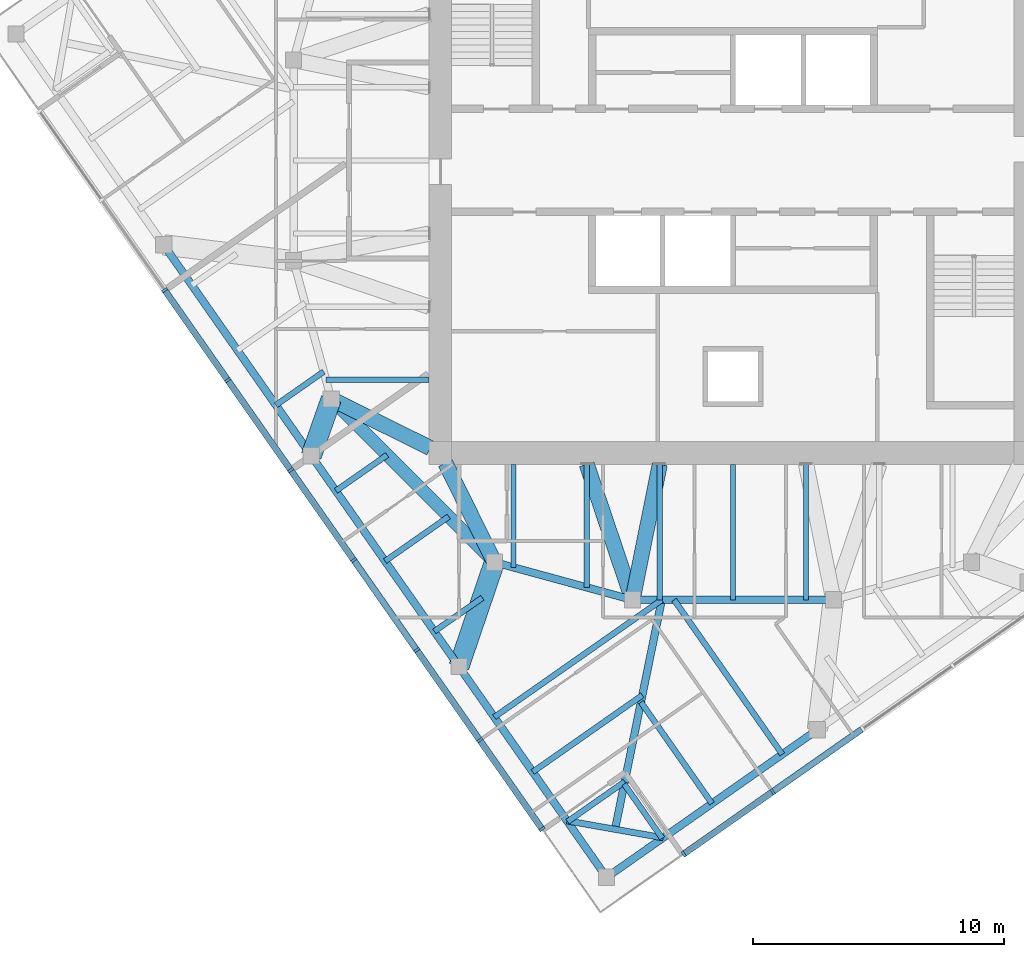
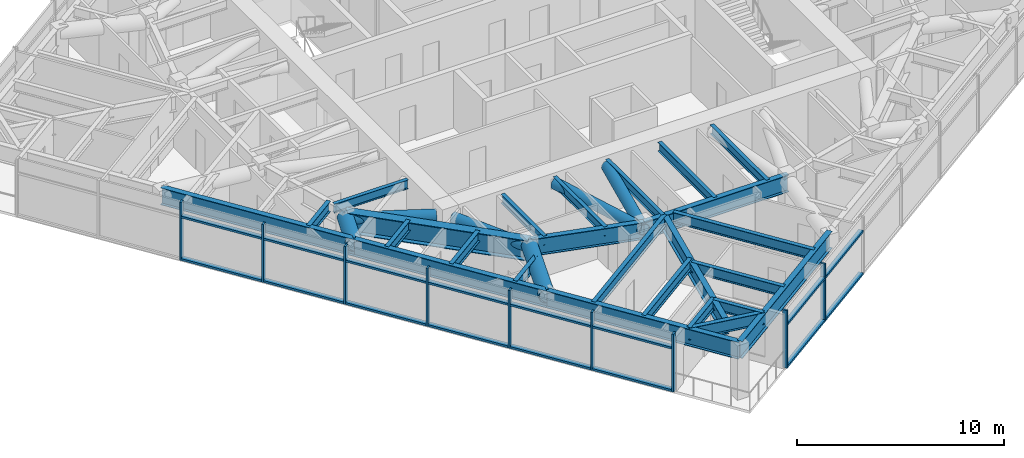
# One storey, part 2 of 15: 31 members, 25 beams, 2 elements without a shape of their own.
"""IFC4 building model written with IfcOpenShell, lengths in metres."""

from ifc_helpers import new_model, si_unit, direction, frame, origin, origin_2d, place, context, subcontext, project, spatial, rectangle, hollow_circle, i_section, extrude, material, material_profile, profile_set, type_object, element, aggregate, save


model = new_model("IFC4")

# Units and contexts
model_context = context("Model", 3, precision=1e-05, world=origin(), true_north=direction((0.0, 1.0)))
body_context = subcontext(model_context, "Body", "Model", "MODEL_VIEW")
ifc_project = project(units=[si_unit("LENGTHUNIT", "METRE"), si_unit("AREAUNIT", "SQUARE_METRE"), si_unit("VOLUMEUNIT", "CUBIC_METRE"), si_unit("PLANEANGLEUNIT", "RADIAN"), si_unit("MASSUNIT", "GRAM", prefix="KILO")], contexts=[model_context])

# Site, building, storey
site_placement = place(None, origin())
site = spatial("IfcSite", under=ifc_project, at=site_placement, CompositionType="ELEMENT")
building_placement = place(site_placement, origin())
building = spatial("IfcBuilding", under=site, at=building_placement, Name="Torsade Residences", CompositionType="ELEMENT")
storey_placement = place(building_placement, frame((0.0, 0.0, 264.199951171875)))
storey = spatial("IfcBuildingStorey", under=building, at=storey_placement, Name="L73", CompositionType="ELEMENT", Elevation=264.199951171875)

# Beams
ifc_material_1 = material(Name="Steel grade 300", Category="steel")
ifc_material_profile_1 = material_profile(ifc_material_1, i_section(OverallWidth=0.300048828125, OverallDepth=0.89990234375, WebThickness=0.011962890625, FlangeThickness=0.02490234375, at=origin_2d()), Name="900WB175")
ifc_profile_set_1 = profile_set([ifc_material_profile_1], Name="Steel grade 300")
beam_type_1 = type_object("IfcBeamType", Name="CORNER GIRDER 900WB175", PredefinedType="BEAM", material=ifc_profile_set_1)
beam_1_placement = place(storey_placement, frame((35.303466796875, 3.364013671875, 2.75), z_axis=(0.199584461589, 0.979880626756, 0.0), x_axis=(-0.979880626756, 0.199584461589, 0.0)))
element("IfcBeam", 1, at=beam_1_placement, inside=storey, type_object=beam_type_1, Name="Corner girder 01 L74", PredefinedType="BEAM", context=body_context, shape_type="SweptSolid", body=[
    extrude(i_section(OverallWidth=0.300048828125, OverallDepth=0.89990234375, WebThickness=0.011962890625, FlangeThickness=0.02490234375, at=origin_2d()), origin(), (0.0, 0.0, 1.0), 9.323486328125),
])
ifc_material_2 = material(Name="Steel grade 300", Category="steel")
ifc_material_profile_2 = material_profile(ifc_material_2, i_section(OverallWidth=0.25, OverallDepth=0.699951171875, WebThickness=0.010009765625, FlangeThickness=0.02001953125, at=origin_2d()), Name="700WB130")
ifc_profile_set_2 = profile_set([ifc_material_profile_2], Name="Steel grade 300")
beam_type_2 = type_object("IfcBeamType", Name="CORNER TRIMMER 700WB130", PredefinedType="BEAM", material=ifc_profile_set_2)
beam_2_placement = place(storey_placement, frame((37.21826171875, 3.0263671875, 2.85009765625), z_axis=(-0.984808196894, 0.173645660267, 0.0), x_axis=(-0.173645660267, -0.984808196894, 0.0)))
element("IfcBeam", 2, at=beam_2_placement, inside=storey, type_object=beam_type_2, Name="Corner trimmer 01 L74", PredefinedType="BEAM", context=body_context, shape_type="SweptSolid", body=[
    extrude(i_section(OverallWidth=0.25, OverallDepth=0.699951171875, WebThickness=0.010009765625, FlangeThickness=0.02001953125, at=origin_2d()), origin(), (0.0, 0.0, 1.0), 3.888916015625),
])

# Curtain wall, members
ifc_material_3 = material(Name="Aluminium and glass", Category="aluminium")
curtain_wall_type = type_object("IfcCurtainWallType", Name="FRITTED GLASS CURTAIN WALL HIGH ZONE", PredefinedType="NOTDEFINED", material=ifc_material_3)
curtain_wall_1_placement = place(storey_placement, origin())
curtain_wall_1 = element("IfcCurtainWall", 3, at=curtain_wall_1_placement, inside=storey, type_object=curtain_wall_type, Name="Curtain wall L73 face 1", PredefinedType="NOTDEFINED")
ifc_material_4 = material(Name="Aluminium mullion", Category="aluminium")
ifc_material_profile_3 = material_profile(ifc_material_4, rectangle(XDim=0.25, YDim=0.10009765625, at=origin_2d()), Name="HIGH ZONE CURTAIN WALL MULLION 250x100")
ifc_profile_set_3 = profile_set([ifc_material_profile_3], Name="Aluminium mullion")
member_type_1 = type_object("IfcMemberType", Name="HIGH ZONE CURTAIN WALL MULLION 250x100", PredefinedType="MULLION", material=ifc_profile_set_3)
member_1_placement = place(storey_placement, frame((38.03759765625, 2.37939453125, 0.0), z_axis=(0.0, 0.0, 1.0), x_axis=(-0.573576457682, 0.819152029353, 0.0)))
member_1 = element("IfcMember", 4, at=member_1_placement, type_object=member_type_1, Name="Mullion 1", PredefinedType="MULLION", context=body_context, shape_type="SweptSolid", body=[
    extrude(rectangle(XDim=0.25, YDim=0.10009765625, at=origin_2d()), origin(), (0.0, 0.0, 1.0), 3.400146484375),
])
member_2_placement = place(storey_placement, frame((41.58056640625, 4.860107421875, 0.0), z_axis=(0.0, 0.0, 1.0), x_axis=(-0.573576457682, 0.819152029353, 0.0)))
member_2 = element("IfcMember", 5, at=member_2_placement, type_object=member_type_1, Name="Mullion 2", PredefinedType="MULLION", context=body_context, shape_type="SweptSolid", body=[
    extrude(rectangle(XDim=0.25, YDim=0.10009765625, at=origin_2d()), origin(), (0.0, 0.0, 1.0), 3.400146484375),
])

curtain_wall_2_placement = place(storey_placement, origin())
curtain_wall_2 = element("IfcCurtainWall", 6, at=curtain_wall_2_placement, inside=storey, type_object=curtain_wall_type, Name="Curtain wall L73 face 10", PredefinedType="NOTDEFINED")
member_3_placement = place(storey_placement, frame((17.369384765625, 24.835693359375, 0.0), z_axis=(0.0, 0.0, 1.0), x_axis=(0.819152029353, 0.573576457682, 0.0)))
member_3 = element("IfcMember", 7, at=member_3_placement, type_object=member_type_1, Name="Mullion 3", PredefinedType="MULLION", context=body_context, shape_type="SweptSolid", body=[
    extrude(rectangle(XDim=0.25, YDim=0.10009765625, at=origin_2d()), origin(), (0.0, 0.0, 1.0), 3.400146484375),
])
member_4_placement = place(storey_placement, frame((19.87890625, 21.251953125, 0.0), z_axis=(0.0, 0.0, 1.0), x_axis=(0.819152029353, 0.573576457682, 0.0)))
member_4 = element("IfcMember", 8, at=member_4_placement, type_object=member_type_1, Name="Mullion 4", PredefinedType="MULLION", context=body_context, shape_type="SweptSolid", body=[
    extrude(rectangle(XDim=0.25, YDim=0.10009765625, at=origin_2d()), origin(), (0.0, 0.0, 1.0), 3.400146484375),
])
member_5_placement = place(storey_placement, frame((22.38818359375, 17.668212890625, 0.0), z_axis=(0.0, 0.0, 1.0), x_axis=(0.819152029353, 0.573576457682, 0.0)))
member_5 = element("IfcMember", 9, at=member_5_placement, type_object=member_type_1, Name="Mullion 5", PredefinedType="MULLION", context=body_context, shape_type="SweptSolid", body=[
    extrude(rectangle(XDim=0.25, YDim=0.10009765625, at=origin_2d()), origin(), (0.0, 0.0, 1.0), 3.400146484375),
])
member_6_placement = place(storey_placement, frame((24.897705078125, 14.084228515625, 0.0), z_axis=(0.0, 0.0, 1.0), x_axis=(0.819152029353, 0.573576457682, 0.0)))
member_6 = element("IfcMember", 10, at=member_6_placement, type_object=member_type_1, Name="Mullion 6", PredefinedType="MULLION", context=body_context, shape_type="SweptSolid", body=[
    extrude(rectangle(XDim=0.25, YDim=0.10009765625, at=origin_2d()), origin(), (0.0, 0.0, 1.0), 3.400146484375),
])
member_7_placement = place(storey_placement, frame((27.406982421875, 10.50048828125, 0.0), z_axis=(0.0, 0.0, 1.0), x_axis=(0.819152029353, 0.573576457682, 0.0)))
member_7 = element("IfcMember", 11, at=member_7_placement, type_object=member_type_1, Name="Mullion 7", PredefinedType="MULLION", context=body_context, shape_type="SweptSolid", body=[
    extrude(rectangle(XDim=0.25, YDim=0.10009765625, at=origin_2d()), origin(), (0.0, 0.0, 1.0), 3.400146484375),
])
member_8_placement = place(storey_placement, frame((29.91650390625, 6.916748046875, 0.0), z_axis=(0.0, 0.0, 1.0), x_axis=(0.819152029353, 0.573576457682, 0.0)))
member_8 = element("IfcMember", 12, at=member_8_placement, type_object=member_type_1, Name="Mullion 8", PredefinedType="MULLION", context=body_context, shape_type="SweptSolid", body=[
    extrude(rectangle(XDim=0.25, YDim=0.10009765625, at=origin_2d()), origin(), (0.0, 0.0, 1.0), 3.400146484375),
])
member_9_placement = place(storey_placement, frame((32.397216796875, 3.3740234375, 0.0), z_axis=(0.0, 0.0, 1.0), x_axis=(0.819152029353, 0.573576457682, 0.0)))
member_9 = element("IfcMember", 13, at=member_9_placement, type_object=member_type_1, Name="Mullion 9", PredefinedType="MULLION", context=body_context, shape_type="SweptSolid", body=[
    extrude(rectangle(XDim=0.25, YDim=0.10009765625, at=origin_2d()), origin(), (0.0, 0.0, 1.0), 3.400146484375),
])

# Member
ifc_material_5 = material(Name="Aluminium transom", Category="aluminium")
ifc_material_profile_4 = material_profile(ifc_material_5, rectangle(XDim=0.25, YDim=0.1201171875, at=origin_2d()), Name="HIGH ZONE CURTAIN WALL TRANSOM 250x120")
ifc_profile_set_4 = profile_set([ifc_material_profile_4], Name="Aluminium transom")
member_type_2 = type_object("IfcMemberType", Name="HIGH ZONE CURTAIN WALL TRANSOM 250x120", PredefinedType="USERDEFINED", material=ifc_profile_set_4)
member_10_placement = place(storey_placement, frame((38.07861328125, 2.407958984375, 0.06005859375), z_axis=(0.819155901234, 0.573570928023, 0.0), x_axis=(-0.573570928023, 0.819155901234, 0.0)))
member_10 = element("IfcMember", 14, at=member_10_placement, type_object=member_type_2, Name="Transom 1.1", ObjectType="TRANSOM", PredefinedType="USERDEFINED", context=body_context, shape_type="SweptSolid", body=[
    extrude(rectangle(XDim=0.25, YDim=0.1201171875, at=origin_2d()), origin(), (0.0, 0.0, 1.0), 4.22509765625),
])

member_11_placement = place(storey_placement, frame((38.07861328125, 2.407958984375, 2.56005859375), z_axis=(0.819155901234, 0.573570928023, 0.0), x_axis=(-0.573570928023, 0.819155901234, 0.0)))
member_11 = element("IfcMember", 15, at=member_11_placement, type_object=member_type_2, Name="Transom 1.2", ObjectType="TRANSOM", PredefinedType="USERDEFINED", context=body_context, shape_type="SweptSolid", body=[
    extrude(rectangle(XDim=0.25, YDim=0.1201171875, at=origin_2d()), origin(), (0.0, 0.0, 1.0), 4.22509765625),
])

member_12_placement = place(storey_placement, frame((41.62158203125, 4.888671875, 0.06005859375), z_axis=(0.819127269283, 0.573611817101, 0.0), x_axis=(-0.573611817101, 0.819127269283, 0.0)))
member_12 = element("IfcMember", 16, at=member_12_placement, type_object=member_type_2, Name="Transom 2.1", ObjectType="TRANSOM", PredefinedType="USERDEFINED", context=body_context, shape_type="SweptSolid", body=[
    extrude(rectangle(XDim=0.25, YDim=0.1201171875, at=origin_2d()), origin(), (0.0, 0.0, 1.0), 4.27490234375),
])

member_13_placement = place(storey_placement, frame((41.62158203125, 4.888671875, 2.56005859375), z_axis=(0.819127269283, 0.573611817101, 0.0), x_axis=(-0.573611817101, 0.819127269283, 0.0)))
member_13 = element("IfcMember", 17, at=member_13_placement, type_object=member_type_2, Name="Transom 2.2", ObjectType="TRANSOM", PredefinedType="USERDEFINED", context=body_context, shape_type="SweptSolid", body=[
    extrude(rectangle(XDim=0.25, YDim=0.1201171875, at=origin_2d()), origin(), (0.0, 0.0, 1.0), 4.27490234375),
])

aggregate(curtain_wall_1, [member_1, member_2, member_10, member_11, member_12, member_13])

member_14_placement = place(storey_placement, frame((17.398193359375, 24.794677734375, 0.06005859375), z_axis=(0.573573496219, -0.819154102984, 0.0), x_axis=(0.819154102984, 0.573573496219, 0.0)))
member_14 = element("IfcMember", 18, at=member_14_placement, type_object=member_type_2, Name="Transom 3.1", ObjectType="TRANSOM", PredefinedType="USERDEFINED", context=body_context, shape_type="SweptSolid", body=[
    extrude(rectangle(XDim=0.25, YDim=0.1201171875, at=origin_2d()), origin(), (0.0, 0.0, 1.0), 4.27490234375),
])

member_15_placement = place(storey_placement, frame((17.398193359375, 24.794677734375, 2.56005859375), z_axis=(0.573573496219, -0.819154102984, 0.0), x_axis=(0.819154102984, 0.573573496219, 0.0)))
member_15 = element("IfcMember", 19, at=member_15_placement, type_object=member_type_2, Name="Transom 3.2", ObjectType="TRANSOM", PredefinedType="USERDEFINED", context=body_context, shape_type="SweptSolid", body=[
    extrude(rectangle(XDim=0.25, YDim=0.1201171875, at=origin_2d()), origin(), (0.0, 0.0, 1.0), 4.27490234375),
])

member_16_placement = place(storey_placement, frame((19.907470703125, 21.2109375, 0.06005859375), z_axis=(0.57358498433, -0.819146058863, 0.0), x_axis=(0.819146058863, 0.57358498433, 0.0)))
member_16 = element("IfcMember", 20, at=member_16_placement, type_object=member_type_2, Name="Transom 4.1", ObjectType="TRANSOM", PredefinedType="USERDEFINED", context=body_context, shape_type="SweptSolid", body=[
    extrude(rectangle(XDim=0.25, YDim=0.1201171875, at=origin_2d()), origin(), (0.0, 0.0, 1.0), 4.275146484375),
])

member_17_placement = place(storey_placement, frame((19.907470703125, 21.2109375, 2.56005859375), z_axis=(0.57358498433, -0.819146058863, 0.0), x_axis=(0.819146058863, 0.57358498433, 0.0)))
member_17 = element("IfcMember", 21, at=member_17_placement, type_object=member_type_2, Name="Transom 4.2", ObjectType="TRANSOM", PredefinedType="USERDEFINED", context=body_context, shape_type="SweptSolid", body=[
    extrude(rectangle(XDim=0.25, YDim=0.1201171875, at=origin_2d()), origin(), (0.0, 0.0, 1.0), 4.275146484375),
])

member_18_placement = place(storey_placement, frame((22.4169921875, 17.627197265625, 0.06005859375), z_axis=(0.573546663483, -0.81917289067, 0.0), x_axis=(0.81917289067, 0.573546663483, 0.0)))
member_18 = element("IfcMember", 22, at=member_18_placement, type_object=member_type_2, Name="Transom 5.1", ObjectType="TRANSOM", PredefinedType="USERDEFINED", context=body_context, shape_type="SweptSolid", body=[
    extrude(rectangle(XDim=0.25, YDim=0.1201171875, at=origin_2d()), origin(), (0.0, 0.0, 1.0), 4.27490234375),
])

member_19_placement = place(storey_placement, frame((22.4169921875, 17.627197265625, 2.56005859375), z_axis=(0.573546663483, -0.81917289067, 0.0), x_axis=(0.81917289067, 0.573546663483, 0.0)))
member_19 = element("IfcMember", 23, at=member_19_placement, type_object=member_type_2, Name="Transom 5.2", ObjectType="TRANSOM", PredefinedType="USERDEFINED", context=body_context, shape_type="SweptSolid", body=[
    extrude(rectangle(XDim=0.25, YDim=0.1201171875, at=origin_2d()), origin(), (0.0, 0.0, 1.0), 4.27490234375),
])

member_20_placement = place(storey_placement, frame((24.92626953125, 14.04345703125, 0.06005859375), z_axis=(0.57358498433, -0.819146058863, 0.0), x_axis=(0.819146058863, 0.57358498433, 0.0)))
member_20 = element("IfcMember", 24, at=member_20_placement, type_object=member_type_2, Name="Transom 6.1", ObjectType="TRANSOM", PredefinedType="USERDEFINED", context=body_context, shape_type="SweptSolid", body=[
    extrude(rectangle(XDim=0.25, YDim=0.1201171875, at=origin_2d()), origin(), (0.0, 0.0, 1.0), 4.275146484375),
])

member_21_placement = place(storey_placement, frame((24.92626953125, 14.04345703125, 2.56005859375), z_axis=(0.57358498433, -0.819146058863, 0.0), x_axis=(0.819146058863, 0.57358498433, 0.0)))
member_21 = element("IfcMember", 25, at=member_21_placement, type_object=member_type_2, Name="Transom 6.2", ObjectType="TRANSOM", PredefinedType="USERDEFINED", context=body_context, shape_type="SweptSolid", body=[
    extrude(rectangle(XDim=0.25, YDim=0.1201171875, at=origin_2d()), origin(), (0.0, 0.0, 1.0), 4.275146484375),
])

member_22_placement = place(storey_placement, frame((27.435791015625, 10.45947265625, 0.06005859375), z_axis=(0.573573496219, -0.819154102984, 0.0), x_axis=(0.819154102984, 0.573573496219, 0.0)))
member_22 = element("IfcMember", 26, at=member_22_placement, type_object=member_type_2, Name="Transom 7.1", ObjectType="TRANSOM", PredefinedType="USERDEFINED", context=body_context, shape_type="SweptSolid", body=[
    extrude(rectangle(XDim=0.25, YDim=0.1201171875, at=origin_2d()), origin(), (0.0, 0.0, 1.0), 4.27490234375),
])

member_23_placement = place(storey_placement, frame((27.435791015625, 10.45947265625, 2.56005859375), z_axis=(0.573573496219, -0.819154102984, 0.0), x_axis=(0.819154102984, 0.573573496219, 0.0)))
member_23 = element("IfcMember", 27, at=member_23_placement, type_object=member_type_2, Name="Transom 7.2", ObjectType="TRANSOM", PredefinedType="USERDEFINED", context=body_context, shape_type="SweptSolid", body=[
    extrude(rectangle(XDim=0.25, YDim=0.1201171875, at=origin_2d()), origin(), (0.0, 0.0, 1.0), 4.27490234375),
])

member_24_placement = place(storey_placement, frame((29.945068359375, 6.875732421875, 0.06005859375), z_axis=(0.573570928023, -0.819155901234, 0.0), x_axis=(0.819155901234, 0.573570928023, 0.0)))
member_24 = element("IfcMember", 28, at=member_24_placement, type_object=member_type_2, Name="Transom 8.1", ObjectType="TRANSOM", PredefinedType="USERDEFINED", context=body_context, shape_type="SweptSolid", body=[
    extrude(rectangle(XDim=0.25, YDim=0.1201171875, at=origin_2d()), origin(), (0.0, 0.0, 1.0), 4.22509765625),
])

member_25_placement = place(storey_placement, frame((29.945068359375, 6.875732421875, 2.56005859375), z_axis=(0.573570928023, -0.819155901234, 0.0), x_axis=(0.819155901234, 0.573570928023, 0.0)))
member_25 = element("IfcMember", 29, at=member_25_placement, type_object=member_type_2, Name="Transom 8.2", ObjectType="TRANSOM", PredefinedType="USERDEFINED", context=body_context, shape_type="SweptSolid", body=[
    extrude(rectangle(XDim=0.25, YDim=0.1201171875, at=origin_2d()), origin(), (0.0, 0.0, 1.0), 4.22509765625),
])

aggregate(curtain_wall_2, [member_3, member_4, member_5, member_6, member_7, member_8, member_9, member_14, member_15, member_16, member_17, member_18, member_19, member_20, member_21, member_22, member_23, member_24, member_25])

# Beams
ifc_material_6 = material(Name="Steel grade 300", Category="steel")
ifc_material_profile_5 = material_profile(ifc_material_6, i_section(OverallWidth=0.208984375, OverallDepth=0.528076171875, WebThickness=0.009521484375, FlangeThickness=0.01318359375, FilletRadius=0.013916015625, at=origin_2d()), Name="530UB82.0")
ifc_profile_set_5 = profile_set([ifc_material_profile_5], Name="Steel grade 300")
beam_type_3 = type_object("IfcBeamType", Name="INNER FLOOR BEAM 530UB82.0", PredefinedType="JOIST", material=ifc_profile_set_5)
for number, where, z_axis, x_axis, name in (
    (30, (42.91259765625, 17.89990234375, 2.93603515625), (0.0, -1.0, 0.0), (1.0, 0.0, 0.0), "Inner floor beam IS03 L74"),
    (31, (40.0, 17.89990234375, 2.93603515625), (0.0, -1.0, 0.0), (1.0, 0.0, 0.0), "Inner floor beam IS04 L74"),
    (32, (37.08740234375, 17.89990234375, 2.93603515625), (0.0, -1.0, 0.0), (1.0, 0.0, 0.0), "Inner floor beam IS05 L74"),
):
    element("IfcBeam", number, at=place(storey_placement, frame(where, z_axis=z_axis, x_axis=x_axis)), inside=storey, type_object=beam_type_3, Name=name, PredefinedType="JOIST", context=body_context, shape_type="SweptSolid", body=[
        extrude(i_section(OverallWidth=0.208984375, OverallDepth=0.528076171875, WebThickness=0.009521484375, FlangeThickness=0.01318359375, FilletRadius=0.013916015625, at=origin_2d()), origin(), (0.0, 0.0, 1.0), 5.39990234375),
    ])
beam_3_placement = place(storey_placement, frame((34.175048828125, 17.89990234375, 2.93603515625), z_axis=(0.0, -1.0, 0.0), x_axis=(1.0, 0.0, 0.0)))
element("IfcBeam", 33, at=beam_3_placement, inside=storey, type_object=beam_type_3, Name="Inner floor beam IS06 L74", PredefinedType="JOIST", context=body_context, shape_type="SweptSolid", body=[
    extrude(i_section(OverallWidth=0.208984375, OverallDepth=0.528076171875, WebThickness=0.009521484375, FlangeThickness=0.01318359375, FilletRadius=0.013916015625, at=origin_2d()), origin(), (0.0, 0.0, 1.0), 4.902099609375),
])
for number, where, z_axis, x_axis, name in (
    (34, (31.262451171875, 17.89990234375, 2.93603515625), (0.0, -1.0, 0.0), (1.0, 0.0, 0.0), "Inner floor beam IS07 L74"),
    (35, (27.89990234375, 21.262451171875, 2.93603515625), (-1.0, 0.0, 0.0), (0.0, -1.0, 0.0), "Inner floor beam IW07 L74"),
):
    element("IfcBeam", number, at=place(storey_placement, frame(where, z_axis=z_axis, x_axis=x_axis)), inside=storey, type_object=beam_type_3, Name=name, PredefinedType="JOIST", context=body_context, shape_type="SweptSolid", body=[
        extrude(i_section(OverallWidth=0.208984375, OverallDepth=0.528076171875, WebThickness=0.009521484375, FlangeThickness=0.01318359375, FilletRadius=0.013916015625, at=origin_2d()), origin(), (0.0, 0.0, 1.0), 4.10791015625),
    ])
ifc_material_7 = material(Name="Steel grade 300", Category="steel")
ifc_material_profile_6 = material_profile(ifc_material_7, i_section(OverallWidth=0.5, OverallDepth=1.199951171875, WebThickness=0.01611328125, FlangeThickness=0.0400390625, at=origin_2d()), Name="1200WB455")
ifc_profile_set_6 = profile_set([ifc_material_profile_6], Name="Steel grade 300")
beam_type_4 = type_object("IfcBeamType", Name="RING CORNER GIRDER 1200WB455", PredefinedType="BEAM", material=ifc_profile_set_6)
beam_4_placement = place(storey_placement, frame((24.0, 20.5, 2.60009765625), z_axis=(0.707106781187, -0.707106781187, 0.0), x_axis=(0.707106781187, 0.707106781187, 0.0)))
element("IfcBeam", 36, at=beam_4_placement, inside=storey, type_object=beam_type_4, Name="Ring girder IR11 L74", PredefinedType="BEAM", context=body_context, shape_type="SweptSolid", body=[
    extrude(i_section(OverallWidth=0.5, OverallDepth=1.199951171875, WebThickness=0.01611328125, FlangeThickness=0.0400390625, at=origin_2d()), origin(), (0.0, 0.0, 1.0), 9.1923828125),
])
ifc_material_8 = material(Name="Steel grade 300", Category="steel")
ifc_material_profile_7 = material_profile(ifc_material_8, i_section(OverallWidth=0.300048828125, OverallDepth=1.0, WebThickness=0.01611328125, FlangeThickness=0.028076171875, at=origin_2d()), Name="1000WB215")
ifc_profile_set_7 = profile_set([ifc_material_profile_7], Name="Steel grade 300")
beam_type_5 = type_object("IfcBeamType", Name="RING GIRDER 1000WB215", PredefinedType="BEAM", material=ifc_profile_set_7)
beam_5_placement = place(storey_placement, frame((30.5, 14.0, 2.699951171875), z_axis=(0.964763821238, -0.263117405792, 0.0), x_axis=(0.263117405792, 0.964763821238, 0.0)))
element("IfcBeam", 37, at=beam_5_placement, inside=storey, type_object=beam_type_5, Name="Ring girder IR12 L74", PredefinedType="BEAM", context=body_context, shape_type="SweptSolid", body=[
    extrude(i_section(OverallWidth=0.300048828125, OverallDepth=1.0, WebThickness=0.01611328125, FlangeThickness=0.028076171875, at=origin_2d()), origin(), (0.0, 0.0, 1.0), 5.700927734375),
])
beam_6_placement = place(storey_placement, frame((36.0, 12.5, 2.699951171875), z_axis=(1.0, 0.0, 0.0), x_axis=(0.0, 1.0, 0.0)))
element("IfcBeam", 38, at=beam_6_placement, inside=storey, type_object=beam_type_5, Name="Ring girder IR13 L74", PredefinedType="BEAM", context=body_context, shape_type="SweptSolid", body=[
    extrude(i_section(OverallWidth=0.300048828125, OverallDepth=1.0, WebThickness=0.01611328125, FlangeThickness=0.028076171875, at=origin_2d()), origin(), (0.0, 0.0, 1.0), 8.0),
])
ifc_material_9 = material(Name="Steel grade 300", Category="steel")
ifc_material_profile_8 = material_profile(ifc_material_9, i_section(OverallWidth=0.22900390625, OverallDepth=0.612060546875, WebThickness=0.011962890625, FlangeThickness=0.01953125, FilletRadius=0.013916015625, at=origin_2d()), Name="610UB125")
ifc_profile_set_8 = profile_set([ifc_material_profile_8], Name="Steel grade 300")
beam_type_6 = type_object("IfcBeamType", Name="SECONDARY BEAM 610UB125", PredefinedType="JOIST", material=ifc_profile_set_8)
beam_7_placement = place(storey_placement, frame((37.184326171875, 3.00244140625, 2.89404296875), z_axis=(-0.573592685254, 0.819140666445, 0.0), x_axis=(-0.819140666445, -0.573592685254, 0.0)))
element("IfcBeam", 39, at=beam_7_placement, inside=storey, type_object=beam_type_6, Name="Floor beam FS01 L74", PredefinedType="JOIST", context=body_context, shape_type="SweptSolid", body=[
    extrude(i_section(OverallWidth=0.22900390625, OverallDepth=0.612060546875, WebThickness=0.011962890625, FlangeThickness=0.01953125, FilletRadius=0.013916015625, at=origin_2d()), origin(), (0.0, 0.0, 1.0), 2.639892578125),
])
beam_8_placement = place(storey_placement, frame((39.163818359375, 4.388671875, 2.89404296875), z_axis=(-0.573575295634, 0.819152843027, 0.0), x_axis=(-0.819152843027, -0.573575295634, 0.0)))
element("IfcBeam", 40, at=beam_8_placement, inside=storey, type_object=beam_type_6, Name="Floor beam FS02 L74", PredefinedType="JOIST", context=body_context, shape_type="SweptSolid", body=[
    extrude(i_section(OverallWidth=0.22900390625, OverallDepth=0.612060546875, WebThickness=0.011962890625, FlangeThickness=0.01953125, FilletRadius=0.013916015625, at=origin_2d()), origin(), (0.0, 0.0, 1.0), 4.931884765625),
])
beam_9_placement = place(storey_placement, frame((41.962646484375, 6.348388671875, 2.89404296875), z_axis=(-0.573573614851, 0.819154019917, 0.0), x_axis=(-0.819154019917, -0.573573614851, 0.0)))
element("IfcBeam", 41, at=beam_9_placement, inside=storey, type_object=beam_type_6, Name="Floor beam FS03 L74", PredefinedType="JOIST", context=body_context, shape_type="SweptSolid", body=[
    extrude(i_section(OverallWidth=0.22900390625, OverallDepth=0.612060546875, WebThickness=0.011962890625, FlangeThickness=0.01953125, FilletRadius=0.013916015625, at=origin_2d()), origin(), (0.0, 0.0, 1.0), 7.509765625),
])
beam_10_placement = place(storey_placement, frame((21.79736328125, 20.25537109375, 2.89404296875), z_axis=(0.819157953557, 0.573567996949, 0.0), x_axis=(-0.573567996949, 0.819157953557, 0.0)))
element("IfcBeam", 42, at=beam_10_placement, inside=storey, type_object=beam_type_6, Name="Floor beam FW06 L74", PredefinedType="JOIST", context=body_context, shape_type="SweptSolid", body=[
    extrude(i_section(OverallWidth=0.22900390625, OverallDepth=0.612060546875, WebThickness=0.011962890625, FlangeThickness=0.01953125, FilletRadius=0.013916015625, at=origin_2d()), origin(), (0.0, 0.0, 1.0), 2.326171875),
])
beam_11_placement = place(storey_placement, frame((24.187255859375, 16.84228515625, 2.89404296875), z_axis=(0.819172078752, 0.573547823109, 0.0), x_axis=(-0.573547823109, 0.819172078752, 0.0)))
element("IfcBeam", 43, at=beam_11_placement, inside=storey, type_object=beam_type_6, Name="Floor beam FW07 L74", PredefinedType="JOIST", context=body_context, shape_type="SweptSolid", body=[
    extrude(i_section(OverallWidth=0.22900390625, OverallDepth=0.612060546875, WebThickness=0.011962890625, FlangeThickness=0.01953125, FilletRadius=0.013916015625, at=origin_2d()), origin(), (0.0, 0.0, 1.0), 2.491943359375),
])
beam_12_placement = place(storey_placement, frame((26.14697265625, 14.04345703125, 2.89404296875), z_axis=(0.819135534955, 0.573600013401, 0.0), x_axis=(-0.573600013401, 0.819135534955, 0.0)))
element("IfcBeam", 44, at=beam_12_placement, inside=storey, type_object=beam_type_6, Name="Floor beam FW08 L74", PredefinedType="JOIST", context=body_context, shape_type="SweptSolid", body=[
    extrude(i_section(OverallWidth=0.22900390625, OverallDepth=0.612060546875, WebThickness=0.011962890625, FlangeThickness=0.01953125, FilletRadius=0.013916015625, at=origin_2d()), origin(), (0.0, 0.0, 1.0), 3.09423828125),
])
beam_13_placement = place(storey_placement, frame((28.106689453125, 11.244873046875, 2.89404296875), z_axis=(0.819163087535, 0.573560664637, 0.0), x_axis=(-0.573560664637, 0.819163087535, 0.0)))
element("IfcBeam", 45, at=beam_13_placement, inside=storey, type_object=beam_type_6, Name="Floor beam FW09 L74", PredefinedType="JOIST", context=body_context, shape_type="SweptSolid", body=[
    extrude(i_section(OverallWidth=0.22900390625, OverallDepth=0.612060546875, WebThickness=0.011962890625, FlangeThickness=0.01953125, FilletRadius=0.013916015625, at=origin_2d()), origin(), (0.0, 0.0, 1.0), 2.3330078125),
])
beam_14_placement = place(storey_placement, frame((30.49658203125, 7.83154296875, 2.89404296875), z_axis=(0.819151588523, 0.573577087251, 0.0), x_axis=(-0.573577087251, 0.819151588523, 0.0)))
element("IfcBeam", 46, at=beam_14_placement, inside=storey, type_object=beam_type_6, Name="Floor beam FW10 L74", PredefinedType="JOIST", context=body_context, shape_type="SweptSolid", body=[
    extrude(i_section(OverallWidth=0.22900390625, OverallDepth=0.612060546875, WebThickness=0.011962890625, FlangeThickness=0.01953125, FilletRadius=0.013916015625, at=origin_2d()), origin(), (0.0, 0.0, 1.0), 8.13916015625),
])
beam_15_placement = place(storey_placement, frame((32.026123046875, 5.647216796875, 2.89404296875), z_axis=(0.819137197966, 0.573597638513, 0.0), x_axis=(-0.573597638513, 0.819137197966, 0.0)))
element("IfcBeam", 47, at=beam_15_placement, inside=storey, type_object=beam_type_6, Name="Floor beam FW11 L74", PredefinedType="JOIST", context=body_context, shape_type="SweptSolid", body=[
    extrude(i_section(OverallWidth=0.22900390625, OverallDepth=0.612060546875, WebThickness=0.011962890625, FlangeThickness=0.01953125, FilletRadius=0.013916015625, at=origin_2d()), origin(), (0.0, 0.0, 1.0), 5.328369140625),
])
beam_16_placement = place(storey_placement, frame((33.412353515625, 3.667724609375, 2.89404296875), z_axis=(0.819190669238, 0.573521270253, 0.0), x_axis=(-0.573521270253, 0.819190669238, 0.0)))
element("IfcBeam", 48, at=beam_16_placement, inside=storey, type_object=beam_type_6, Name="Floor beam FW12 L74", PredefinedType="JOIST", context=body_context, shape_type="SweptSolid", body=[
    extrude(i_section(OverallWidth=0.22900390625, OverallDepth=0.612060546875, WebThickness=0.011962890625, FlangeThickness=0.01953125, FilletRadius=0.013916015625, at=origin_2d()), origin(), (0.0, 0.0, 1.0), 2.780517578125),
])

# Members
ifc_material_10 = material(Name="Steel grade 450", Category="steel")
ifc_material_profile_9 = material_profile(ifc_material_10, hollow_circle(Radius=0.304931640625, WallThickness=0.01611328125, at=origin_2d()), Name="610.0x16.0CHS")
ifc_profile_set_9 = profile_set([ifc_material_profile_9], Name="Steel grade 450")
member_type_3 = type_object("IfcMemberType", Name="TRANSFER FLOOR BRACE 610.0x16.0CHS", PredefinedType="BRACE", material=ifc_profile_set_9)
for number, where, z_axis, x_axis, name in (
    (49, (24.0, 20.5, 2.699951171875), (0.896469701914, -0.443105036702, 0.0), (0.443105036702, 0.896469701914, 0.0), "Transfer floor brace TT8 bottom IR11C"),
    (50, (30.5, 14.0, 2.699951171875), (-0.443105036702, 0.896469701914, 0.0), (-0.896469701914, -0.443105036702, 0.0), "Transfer floor brace TT8 bottom IR12C"),
):
    element("IfcMember", number, at=place(storey_placement, frame(where, z_axis=z_axis, x_axis=x_axis)), inside=storey, type_object=member_type_3, Name=name, PredefinedType="BRACE", context=body_context, shape_type="SweptSolid", body=[
        extrude(hollow_circle(Radius=0.304931640625, WallThickness=0.01611328125, at=origin_2d()), origin(), (0.0, 0.0, 1.0), 4.40234375),
    ])
member_26_placement = place(storey_placement, frame((36.0, 12.5, 2.699951171875), z_axis=(0.197387381211, 0.980200740375, 0.015643858457), x_axis=(-0.980320704809, 0.197411538983, 0.0)))
element("IfcMember", 51, at=member_26_placement, inside=storey, type_object=member_type_3, Name="Transfer floor brace TT8 bottom IR13IS05", PredefinedType="BRACE", context=body_context, shape_type="SweptSolid", body=[
    extrude(hollow_circle(Radius=0.304931640625, WallThickness=0.01611328125, at=origin_2d()), origin(), (0.0, 0.0, 1.0), 5.509033203125),
])
member_27_placement = place(storey_placement, frame((36.0, 12.5, 2.699951171875), z_axis=(-0.320133277384, 0.947251883503, 0.015117999588), x_axis=(-0.947360151124, -0.320169867513, 0.0)))
element("IfcMember", 52, at=member_27_placement, inside=storey, type_object=member_type_3, Name="Transfer floor brace TT8 bottom IR13IS06", PredefinedType="BRACE", context=body_context, shape_type="SweptSolid", body=[
    extrude(hollow_circle(Radius=0.304931640625, WallThickness=0.01611328125, at=origin_2d()), origin(), (0.0, 0.0, 1.0), 5.70068359375),
])
ifc_material_11 = material(Name="Steel grade 450", Category="steel")
ifc_material_profile_10 = material_profile(ifc_material_11, hollow_circle(Radius=0.406494140625, WallThickness=0.02490234375, at=origin_2d()), Name="813.0x25.0CHS")
ifc_profile_set_10 = profile_set([ifc_material_profile_10], Name="Steel grade 450")
member_type_4 = type_object("IfcMemberType", Name="TRANSFER FLOOR STRUT 813.0x25.0CHS", PredefinedType="STRUT", material=ifc_profile_set_10)
member_28_placement = place(storey_placement, frame((23.207275390625, 18.24169921875, 2.798583984375), z_axis=(0.331213589274, 0.943555805599, 0.0), x_axis=(-0.943555805599, 0.331213589274, 0.0)))
element("IfcMember", 53, at=member_28_placement, inside=storey, type_object=member_type_4, Name="Transfer floor strut TT8 bottom 15IR11", PredefinedType="STRUT", context=body_context, shape_type="SweptSolid", body=[
    extrude(hollow_circle(Radius=0.406494140625, WallThickness=0.02490234375, at=origin_2d()), origin(), (0.0, 0.0, 1.0), 2.393310546875),
])
member_29_placement = place(storey_placement, frame((29.08642578125, 9.845458984375, 2.798583984375), z_axis=(0.322113167985, 0.946701170915, 0.0), x_axis=(-0.946701170915, 0.322113167985, 0.0)))
element("IfcMember", 54, at=member_29_placement, inside=storey, type_object=member_type_4, Name="Transfer floor strut TT8 bottom 16IR12", PredefinedType="STRUT", context=body_context, shape_type="SweptSolid", body=[
    extrude(hollow_circle(Radius=0.406494140625, WallThickness=0.02490234375, at=origin_2d()), origin(), (0.0, 0.0, 1.0), 4.388427734375),
])

# Beams
ifc_material_12 = material(Name="Steel grade 300", Category="steel")
ifc_material_profile_11 = material_profile(ifc_material_12, i_section(OverallWidth=0.300048828125, OverallDepth=1.0, WebThickness=0.01611328125, FlangeThickness=0.028076171875, at=origin_2d()), Name="1000WB215")
ifc_profile_set_11 = profile_set([ifc_material_profile_11], Name="Steel grade 300")
beam_type_7 = type_object("IfcBeamType", Name="TRANSFER TRUSS CHORD 1000WB215", PredefinedType="USERDEFINED", material=ifc_profile_set_11)
for number, where, z_axis, x_axis, name in (
    (55, (34.9658203125, 1.448974609375, 2.699951171875), (0.819150225126, 0.573579034377, 0.0), (-0.573579034377, 0.819150225126, 0.0), "Transfer truss TT8 bottom chord 01"),
    (56, (17.328125, 26.637939453125, 2.699951171875), (0.573579034377, -0.819150225126, 0.0), (0.819150225126, 0.573579034377, 0.0), "Transfer truss TT8 bottom chord 14"),
    (57, (23.207275390625, 18.24169921875, 2.699951171875), (0.573579034377, -0.819150225126, 0.0), (0.819150225126, 0.573579034377, 0.0), "Transfer truss TT8 bottom chord 15"),
):
    element("IfcBeam", number, at=place(storey_placement, frame(where, z_axis=z_axis, x_axis=x_axis)), inside=storey, type_object=beam_type_7, Name=name, ObjectType="TRANSFER TRUSS CHORD", PredefinedType="USERDEFINED", context=body_context, shape_type="SweptSolid", body=[
        extrude(i_section(OverallWidth=0.300048828125, OverallDepth=1.0, WebThickness=0.01611328125, FlangeThickness=0.028076171875, at=origin_2d()), origin(), (0.0, 0.0, 1.0), 10.25),
    ])
beam_17_placement = place(storey_placement, frame((29.08642578125, 9.845458984375, 2.699951171875), z_axis=(0.573583825578, -0.819146870247, 0.0), x_axis=(0.819146870247, 0.573583825578, 0.0)))
element("IfcBeam", 58, at=beam_17_placement, inside=storey, type_object=beam_type_7, Name="Transfer truss TT8 bottom chord 16", ObjectType="TRANSFER TRUSS CHORD", PredefinedType="USERDEFINED", context=body_context, shape_type="SweptSolid", body=[
    extrude(i_section(OverallWidth=0.300048828125, OverallDepth=1.0, WebThickness=0.01611328125, FlangeThickness=0.028076171875, at=origin_2d()), origin(), (0.0, 0.0, 1.0), 10.250244140625),
])

save(model, "model.ifc")
